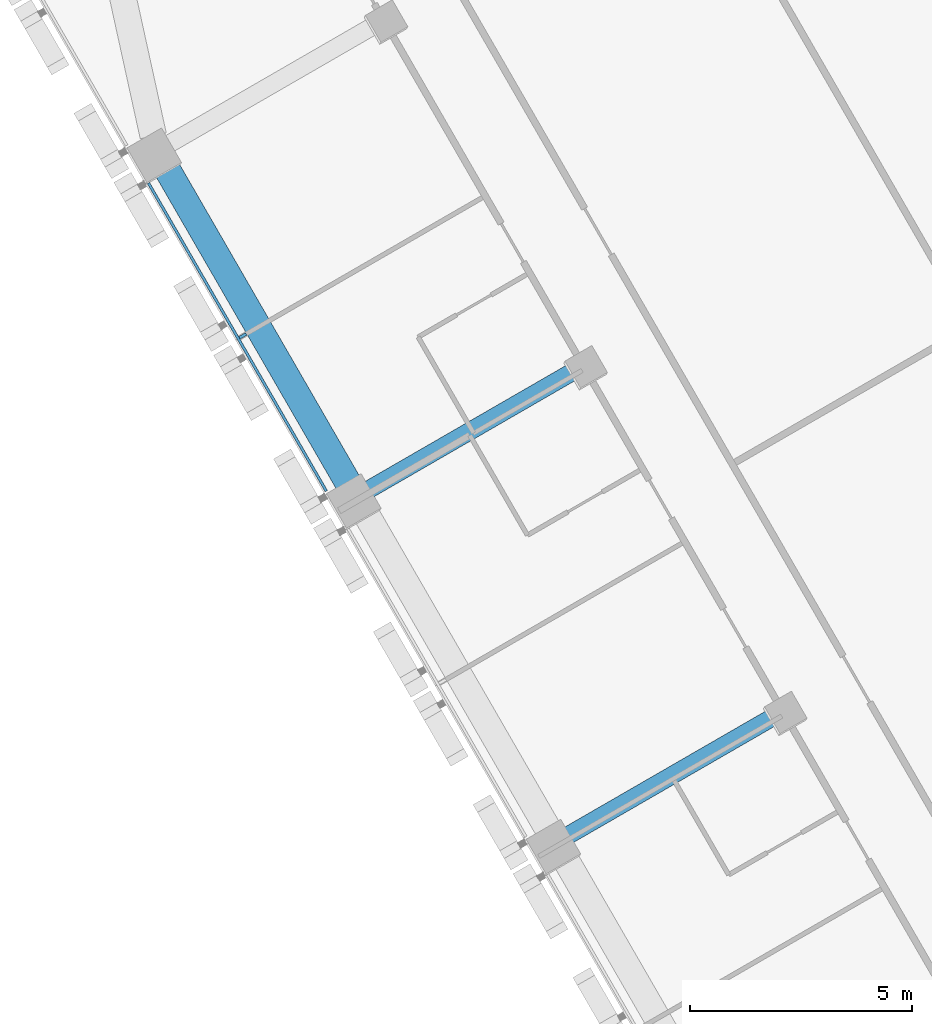
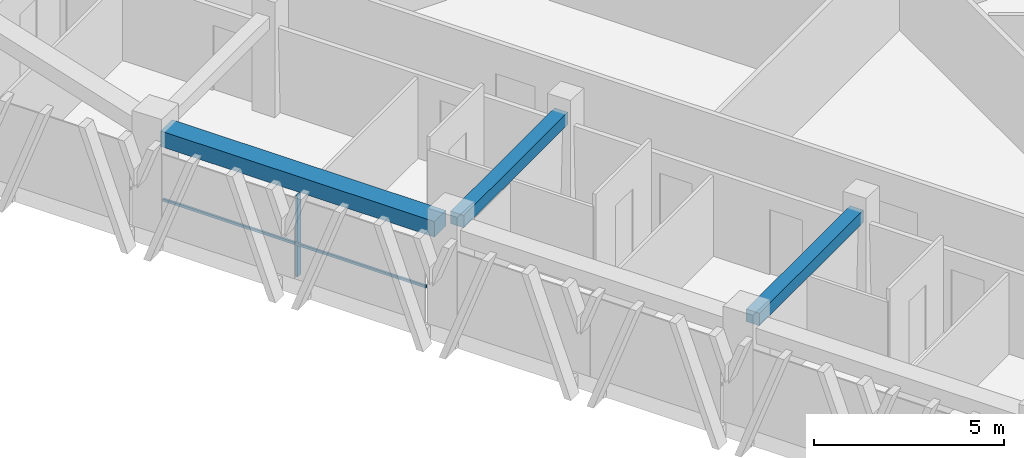
# One storey, part 3 of 17: 3 beams, 2 members, 1 element without a shape of its own.
"""IFC4 building model written with IfcOpenShell, lengths in metres."""

from ifc_helpers import new_model, si_unit, direction, frame, origin, origin_2d, place, context, subcontext, project, spatial, rectangle, extrude, material, layer, layer_set, material_profile, profile_set, type_object, element, aggregate, save


model = new_model("IFC4")

# Units and contexts
model_context = context("Model", 3, precision=1e-05, world=origin(), true_north=direction((0.0, 1.0)))
body_context = subcontext(model_context, "Body", "Model", "MODEL_VIEW")
ifc_project = project(units=[si_unit("LENGTHUNIT", "METRE"), si_unit("AREAUNIT", "SQUARE_METRE"), si_unit("VOLUMEUNIT", "CUBIC_METRE"), si_unit("PLANEANGLEUNIT", "RADIAN"), si_unit("MASSUNIT", "GRAM", prefix="KILO")], contexts=[model_context])

# Site, building, storey
site_placement = place(None, origin())
site = spatial("IfcSite", under=ifc_project, at=site_placement, CompositionType="ELEMENT")
building_placement = place(site_placement, origin())
building = spatial("IfcBuilding", under=site, at=building_placement, Name="Altiplano Prism Tower", CompositionType="ELEMENT")
storey_placement = place(building_placement, frame((0.0, 0.0, 30.60009765625)))
storey = spatial("IfcBuildingStorey", under=building, at=storey_placement, Name="L06", CompositionType="ELEMENT", Elevation=30.60009765625)

# Curtain wall, members
ifc_material_1 = material(Name="Aluminium and glass", Category="aluminium")
ifc_layer = layer(ifc_material_1, 0.280029296875)
ifc_layer_set = layer_set([ifc_layer], Name="Aluminium and glass")
curtain_wall_type = type_object("IfcCurtainWallType", Name="CW1 typical co-living unitised curtain wall", PredefinedType="NOTDEFINED", material=ifc_layer_set)
curtain_wall_placement = place(storey_placement, origin())
curtain_wall = element("IfcCurtainWall", 1, at=curtain_wall_placement, inside=storey, type_object=curtain_wall_type, Name="CW1 curtain wall south-west face L06", PredefinedType="NOTDEFINED")
ifc_material_2 = material(Name="Aluminium", Category="aluminium")
ifc_material_profile_1 = material_profile(ifc_material_2, rectangle(XDim=0.179931640625, YDim=0.06494140625, at=origin_2d()), Name="CW1 mullion 65 x 180")
ifc_profile_set_1 = profile_set([ifc_material_profile_1], Name="Aluminium")
member_type_1 = type_object("IfcMemberType", Name="CW1 mullion 65 x 180", PredefinedType="MULLION", material=ifc_profile_set_1)
member_1_placement = place(storey_placement, frame((62.55810546875, 81.52783203125, 0.0), z_axis=(0.0, 0.0, 1.0), x_axis=(0.866025402886, 0.500000001557, 0.0)))
member_1 = element("IfcMember", 2, at=member_1_placement, type_object=member_type_1, Name="CW1 mullion", PredefinedType="MULLION", context=body_context, shape_type="SweptSolid", body=[
    extrude(rectangle(XDim=0.179931640625, YDim=0.06494140625, at=origin_2d()), origin(), (0.0, 0.0, 1.0), 2.599853515625),
])
ifc_material_profile_2 = material_profile(ifc_material_2, rectangle(XDim=0.06005859375, YDim=0.080078125, at=origin_2d()), Name="CW1 transom 80 x 60")
ifc_profile_set_2 = profile_set([ifc_material_profile_2], Name="Aluminium")
member_type_2 = type_object("IfcMemberType", Name="CW1 transom 80 x 60", PredefinedType="USERDEFINED", material=ifc_profile_set_2)
member_2_placement = place(storey_placement, frame((60.429443359375, 84.974609375, 1.099853515625), z_axis=(0.500012318566, -0.86601829154, 0.0), x_axis=(0.86601829154, 0.500012318566, 0.0)))
member_2 = element("IfcMember", 3, at=member_2_placement, type_object=member_type_2, Name="CW1 transom", ObjectType="TRANSOM", PredefinedType="USERDEFINED", context=body_context, shape_type="SweptSolid", body=[
    extrude(rectangle(XDim=0.06005859375, YDim=0.080078125, at=origin_2d()), origin(), (0.0, 0.0, 1.0), 8.019775390625),
])
aggregate(curtain_wall, [member_1, member_2])

# Beams
ifc_material_3 = material(Name="Concrete C60/75", Category="concrete")
ifc_material_profile_3 = material_profile(ifc_material_3, rectangle(XDim=0.60009765625, YDim=0.5, at=origin_2d()), Name="Edge beam 600x500")
ifc_profile_set_3 = profile_set([ifc_material_profile_3], Name="Concrete C60/75")
beam_type_1 = type_object("IfcBeamType", Name="Edge beam 600x500", PredefinedType="SPANDREL", material=ifc_profile_set_3)
beam_1_placement = place(storey_placement, frame((60.778076171875, 85.40771484375, 2.849853515625), z_axis=(0.500014701701, -0.866016915587, 0.0), x_axis=(0.866016915587, 0.500014701701, 0.0)))
element("IfcBeam", 4, at=beam_1_placement, inside=storey, type_object=beam_type_1, Name="Edge beam P11-P12 L07", PredefinedType="SPANDREL", context=body_context, shape_type="SweptSolid", body=[
    extrude(rectangle(XDim=0.60009765625, YDim=0.5, at=origin_2d()), origin(), (0.0, 0.0, 1.0), 8.340087890625),
])
ifc_material_profile_4 = material_profile(ifc_material_3, rectangle(XDim=0.39990234375, YDim=0.39990234375, at=origin_2d()), Name="Tie beam 400x400")
ifc_profile_set_4 = profile_set([ifc_material_profile_4], Name="Concrete C60/75")
beam_type_2 = type_object("IfcBeamType", Name="Tie beam 400x400", PredefinedType="BEAM", material=ifc_profile_set_4)
beam_2_placement = place(storey_placement, frame((70.1533203125, 80.809326171875, 2.89990234375), z_axis=(-0.866012292785, -0.50002270823, 0.0), x_axis=(0.50002270823, -0.866012292785, 0.0)))
element("IfcBeam", 5, at=beam_2_placement, inside=storey, type_object=beam_type_2, Name="Tie beam I12 L07", PredefinedType="BEAM", context=body_context, shape_type="SweptSolid", body=[
    extrude(rectangle(XDim=0.39990234375, YDim=0.39990234375, at=origin_2d()), origin(), (0.0, 0.0, 1.0), 5.489990234375),
])
beam_3_placement = place(storey_placement, frame((74.6533203125, 73.014892578125, 2.89990234375), z_axis=(-0.866031549307, -0.499989355492, 0.0), x_axis=(0.499989355492, -0.866031549307, 0.0)))
element("IfcBeam", 6, at=beam_3_placement, inside=storey, type_object=beam_type_2, Name="Tie beam I13 L07", PredefinedType="BEAM", context=body_context, shape_type="SweptSolid", body=[
    extrude(rectangle(XDim=0.39990234375, YDim=0.39990234375, at=origin_2d()), origin(), (0.0, 0.0, 1.0), 5.48974609375),
])

save(model, "model.ifc")
